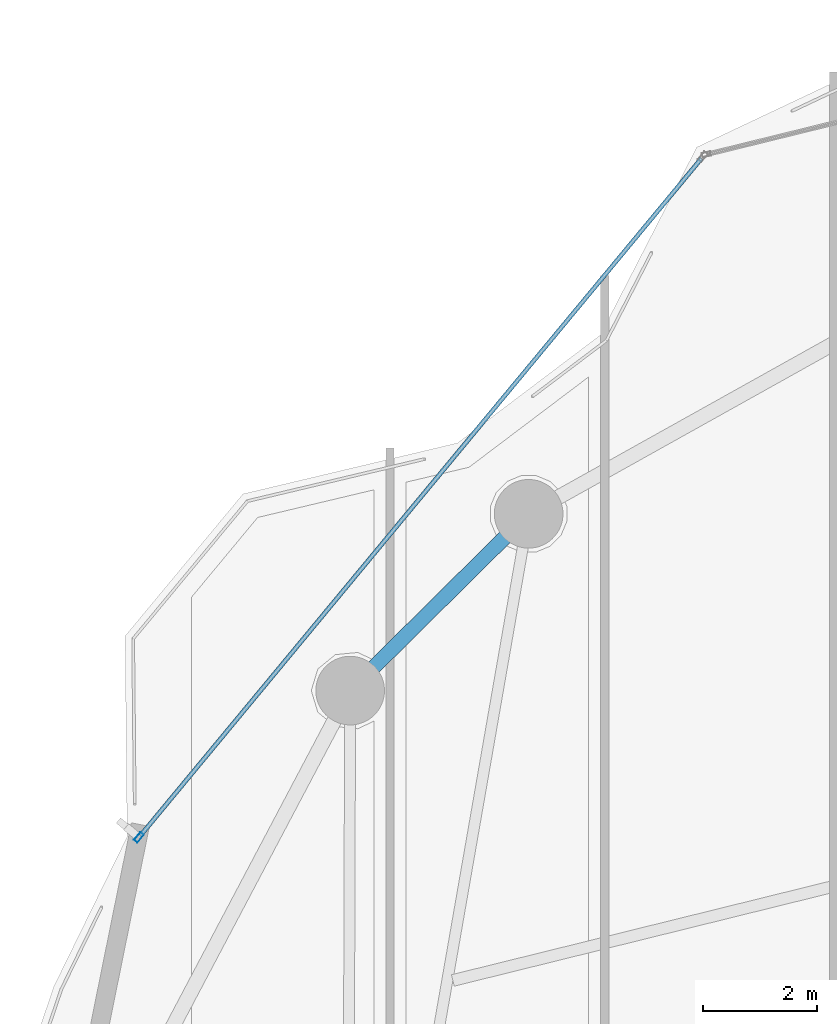
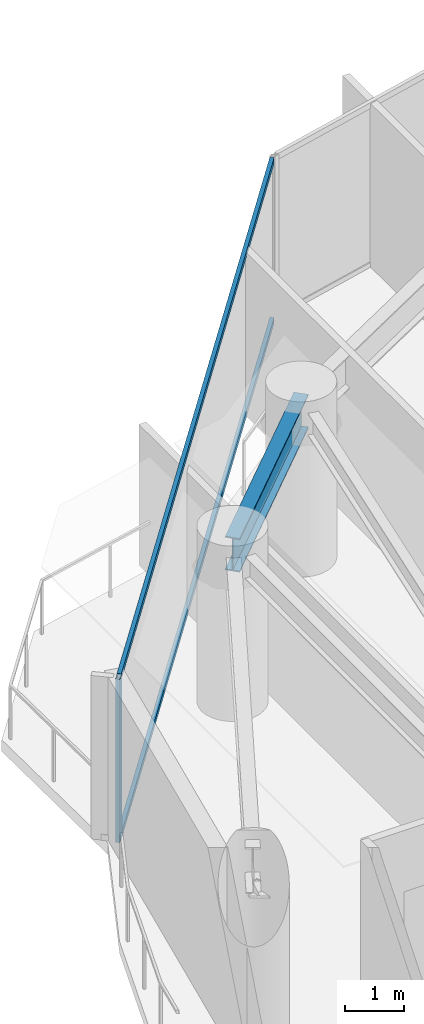
# One storey, part 16 of 28: 3 members, 1 beam, 1 element without a shape of its own.
"""IFC4 building model written with IfcOpenShell, lengths in metres."""

from ifc_helpers import new_model, si_unit, direction, frame, origin, origin_2d, place, context, subcontext, project, spatial, hollow_rectangle, i_section, extrude, material, layer, layer_set, material_profile, profile_set, type_object, element, aggregate, save


model = new_model("IFC4")

# Units and contexts
model_context = context("Model", 3, precision=1e-05, world=origin(), true_north=direction((0.0, 1.0)))
body_context = subcontext(model_context, "Body", "Model", "MODEL_VIEW")
ifc_project = project(units=[si_unit("LENGTHUNIT", "METRE"), si_unit("AREAUNIT", "SQUARE_METRE"), si_unit("VOLUMEUNIT", "CUBIC_METRE"), si_unit("PLANEANGLEUNIT", "RADIAN"), si_unit("MASSUNIT", "GRAM", prefix="KILO")], contexts=[model_context])

# Site, building, storey
site_placement = place(None, origin())
site = spatial("IfcSite", under=ifc_project, at=site_placement, CompositionType="ELEMENT")
building_placement = place(site_placement, origin())
building = spatial("IfcBuilding", under=site, at=building_placement, Name="Kazevale Care Tower and Concert Hall", CompositionType="ELEMENT")
storey_placement = place(building_placement, frame((0.0, 0.0, 142.199951171875)))
storey = spatial("IfcBuildingStorey", under=building, at=storey_placement, Name="L37", CompositionType="ELEMENT", Elevation=142.199951171875)

# Curtain wall, members
ifc_material_1 = material(Name="Aluminium 6063-T6 and Low-E Glass", Category="aluminium")
ifc_layer = layer(ifc_material_1, 0.179931640625)
ifc_layer_set = layer_set([ifc_layer], Name="Aluminium 6063-T6 and Low-E Glass")
curtain_wall_type = type_object("IfcCurtainWallType", Name="Convex Checkerboard Finned Curtain Wall CW-2", PredefinedType="NOTDEFINED", material=ifc_layer_set)
curtain_wall_placement = place(storey_placement, origin())
curtain_wall = element("IfcCurtainWall", 1, at=curtain_wall_placement, inside=storey, type_object=curtain_wall_type, Name="cw:L37:f14", PredefinedType="NOTDEFINED")
ifc_material_2 = material(Name="Aluminium 6063-T6", Category="aluminium")
ifc_material_profile_1 = material_profile(ifc_material_2, hollow_rectangle(XDim=0.080078125, YDim=0.179931640625, WallThickness=0.0048828125, at=origin_2d()), Name="ALU80x180x5")
ifc_profile_set_1 = profile_set([ifc_material_profile_1], Name="Aluminium 6063-T6")
member_type_1 = type_object("IfcMemberType", Name="CW-2 Mullion ALU80x180x5", PredefinedType="MULLION", material=ifc_profile_set_1)
member_1_placement = place(storey_placement, frame((18.357421875, 48.923828125, 0.0), z_axis=(0.0, 0.0, 1.0), x_axis=(-0.770049579196, 0.637984048061, 0.0)))
member_1 = element("IfcMember", 2, at=member_1_placement, type_object=member_type_1, Name="CW-2 mullion 1", PredefinedType="MULLION", context=body_context, shape_type="SweptSolid", body=[
    extrude(hollow_rectangle(XDim=0.080078125, YDim=0.179931640625, WallThickness=0.0048828125, at=origin_2d()), origin(), (0.0, 0.0, 1.0), 3.360107421875),
])
ifc_material_profile_2 = material_profile(ifc_material_2, hollow_rectangle(XDim=0.074951171875, YDim=0.1201171875, WallThickness=0.00390625, at=origin_2d()), Name="ALU75x120x4")
ifc_profile_set_2 = profile_set([ifc_material_profile_2], Name="Aluminium 6063-T6")
member_type_2 = type_object("IfcMemberType", Name="CW-2 Transom ALU75x120x4", PredefinedType="USERDEFINED", material=ifc_profile_set_2)
member_2_placement = place(storey_placement, frame((18.383056640625, 48.95458984375, 0.03759765625), z_axis=(0.637986649499, 0.770047423904, 0.0), x_axis=(-0.770047423904, 0.637986649499, 0.0)))
member_2 = element("IfcMember", 3, at=member_2_placement, type_object=member_type_2, Name="CW-2 transom 1.1", ObjectType="TRANSOM", PredefinedType="USERDEFINED", context=body_context, shape_type="SweptSolid", body=[
    extrude(hollow_rectangle(XDim=0.074951171875, YDim=0.1201171875, WallThickness=0.00390625, at=origin_2d()), origin(), (0.0, 0.0, 1.0), 15.3701171875),
])
member_3_placement = place(storey_placement, frame((18.383056640625, 48.95458984375, 3.322509765625), z_axis=(0.637986649499, 0.770047423904, 0.0), x_axis=(-0.770047423904, 0.637986649499, 0.0)))
member_3 = element("IfcMember", 4, at=member_3_placement, type_object=member_type_2, Name="CW-2 transom 1.2", ObjectType="TRANSOM", PredefinedType="USERDEFINED", context=body_context, shape_type="SweptSolid", body=[
    extrude(hollow_rectangle(XDim=0.074951171875, YDim=0.1201171875, WallThickness=0.00390625, at=origin_2d()), origin(), (0.0, 0.0, 1.0), 15.3701171875),
])
aggregate(curtain_wall, [member_1, member_2, member_3])

# Beam
ifc_material_3 = material(Name="Steel ASTM A572 Gr 50", Category="steel")
ifc_material_profile_3 = material_profile(ifc_material_3, i_section(OverallWidth=0.256103515625, OverallDepth=0.693115234375, WebThickness=0.014404296875, FlangeThickness=0.023681640625, at=origin_2d()), Name="W690x170")
ifc_profile_set_3 = profile_set([ifc_material_profile_3], Name="Steel ASTM A572 Gr 50")
beam_type = type_object("IfcBeamType", Name="Waist Ring Beam W690x170", PredefinedType="BEAM", material=ifc_profile_set_3)
beam_placement = place(storey_placement, frame((25.169921875, 54.580078125, 3.013427734375), z_axis=(-0.710490141585, -0.703707154085, 0.0), x_axis=(0.703707154085, -0.710490141585, 0.0)))
element("IfcBeam", 5, at=beam_placement, inside=storey, type_object=beam_type, Name="beam:L37:ring:07", PredefinedType="BEAM", context=body_context, shape_type="SweptSolid", body=[
    extrude(i_section(OverallWidth=0.256103515625, OverallDepth=0.693115234375, WebThickness=0.014404296875, FlangeThickness=0.023681640625, at=origin_2d()), origin(), (0.0, 0.0, 1.0), 4.39111328125),
])

save(model, "model.ifc")
